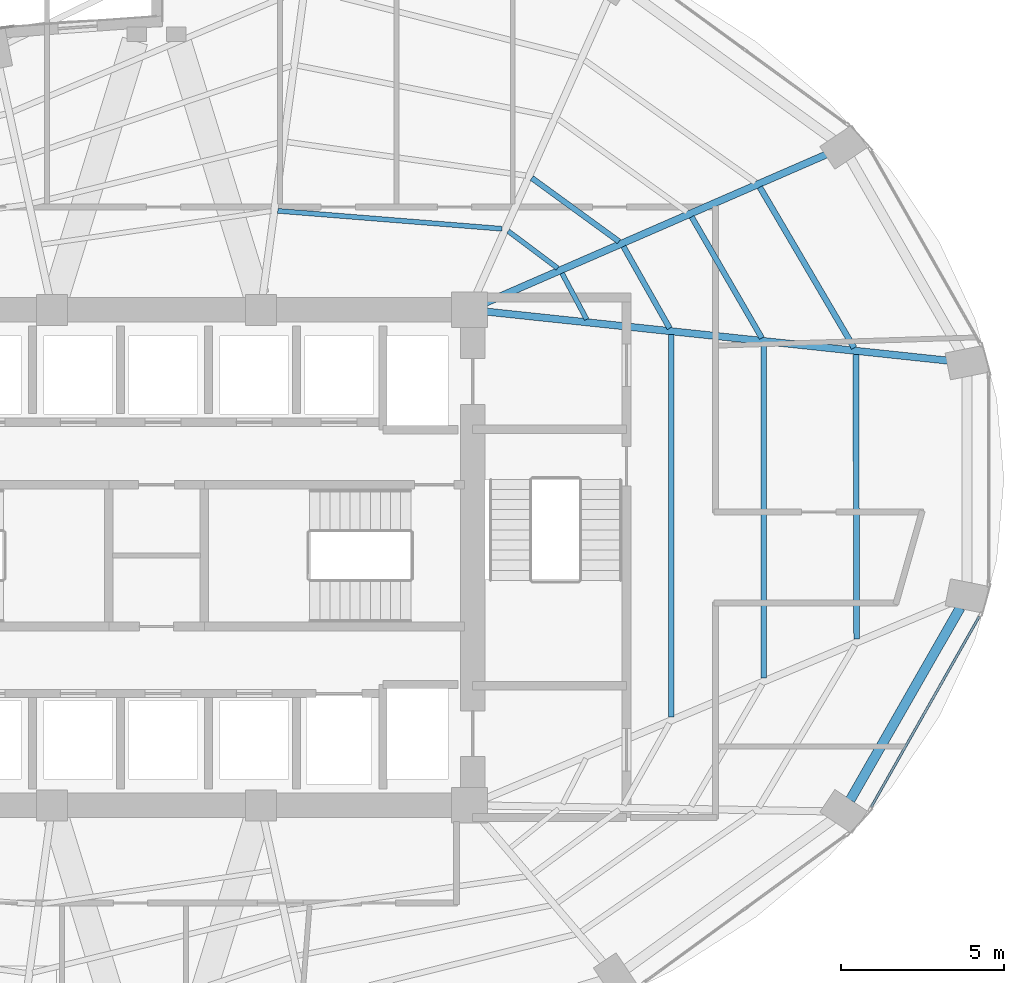
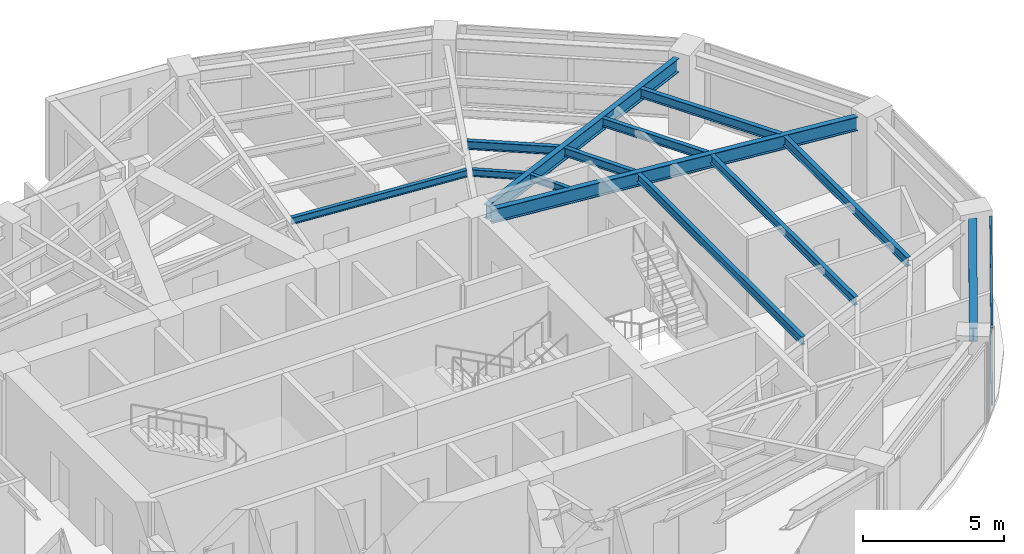
# One storey, part 12 of 23: 13 beams, 2 members, 1 element without a shape of its own.
"""IFC4 building model written with IfcOpenShell, lengths in metres."""

from ifc_helpers import new_model, si_unit, direction, frame, origin, origin_2d, place, context, subcontext, project, spatial, hollow_rectangle, i_section, extrude, material, layer, layer_set, material_profile, profile_set, type_object, element, aggregate, save


model = new_model("IFC4")

# Units and contexts
model_context = context("Model", 3, precision=1e-05, world=origin(), true_north=direction((0.0, 1.0)))
body_context = subcontext(model_context, "Body", "Model", "MODEL_VIEW")
ifc_project = project(units=[si_unit("LENGTHUNIT", "METRE"), si_unit("AREAUNIT", "SQUARE_METRE"), si_unit("VOLUMEUNIT", "CUBIC_METRE"), si_unit("PLANEANGLEUNIT", "RADIAN"), si_unit("MASSUNIT", "GRAM", prefix="KILO")], contexts=[model_context])

# Site, building, storey
site_placement = place(None, origin())
site = spatial("IfcSite", under=ifc_project, at=site_placement, CompositionType="ELEMENT")
building_placement = place(site_placement, origin())
building = spatial("IfcBuilding", under=site, at=building_placement, Name="Lazwardi Medical Tower", CompositionType="ELEMENT")
storey_placement = place(building_placement, frame((0.0, 0.0, 85.39208984375)))
storey = spatial("IfcBuildingStorey", under=building, at=storey_placement, Name="L21", CompositionType="ELEMENT", Elevation=85.39208984375)

# Beams
ifc_material_1 = material(Name="Steel S355", Category="steel")
ifc_material_profile_1 = material_profile(ifc_material_1, i_section(OverallWidth=0.300048828125, OverallDepth=0.60009765625, WebThickness=0.015380859375, FlangeThickness=0.030029296875, at=origin_2d()), Name="HEB 600")
ifc_profile_set_1 = profile_set([ifc_material_profile_1], Name="Steel S355")
beam_type_1 = type_object("IfcBeamType", Name="BM-RB-Z2", PredefinedType="BEAM", material=ifc_profile_set_1)
beam_1_placement = place(storey_placement, frame((57.281494140625, 20.561279296875, 3.1279296875), z_axis=(0.496653025517, 0.867949176072, 0.0), x_axis=(-0.867949176072, 0.496653025517, 0.0)))
element("IfcBeam", 1, at=beam_1_placement, inside=storey, type_object=beam_type_1, Name="Ring beam RB-03 B03 L21", PredefinedType="BEAM", context=body_context, shape_type="SweptSolid", body=[
    extrude(i_section(OverallWidth=0.300048828125, OverallDepth=0.60009765625, WebThickness=0.015380859375, FlangeThickness=0.030029296875, at=origin_2d()), origin(), (0.0, 0.0, 1.0), 6.80078125),
])
ifc_material_profile_2 = material_profile(ifc_material_1, i_section(OverallWidth=0.219970703125, OverallDepth=0.60009765625, WebThickness=0.011962890625, FlangeThickness=0.01904296875, at=origin_2d()), Name="IPE 600")
ifc_profile_set_2 = profile_set([ifc_material_profile_2], Name="Steel S355")
beam_type_2 = type_object("IfcBeamType", Name="BM-RG-W1", PredefinedType="BEAM", material=ifc_profile_set_2)
beam_2_placement = place(storey_placement, frame((60.2861328125, 34.041015625, 3.1279296875), z_axis=(-0.994413340753, 0.10555618282, 0.0), x_axis=(-0.10555618282, -0.994413340753, 0.0)))
element("IfcBeam", 2, at=beam_2_placement, inside=storey, type_object=beam_type_2, Name="Radial girder RG-02 R05 L21", PredefinedType="BEAM", context=body_context, shape_type="SweptSolid", body=[
    extrude(i_section(OverallWidth=0.219970703125, OverallDepth=0.60009765625, WebThickness=0.011962890625, FlangeThickness=0.01904296875, at=origin_2d()), origin(), (0.0, 0.0, 1.0), 14.233642578125),
])
beam_3_placement = place(storey_placement, frame((56.5458984375, 40.36328125, 3.1279296875), z_axis=(-0.916941336121, -0.399022037127, 0.0), x_axis=(0.399022037127, -0.916941336121, 0.0)))
element("IfcBeam", 3, at=beam_3_placement, inside=storey, type_object=beam_type_2, Name="Radial girder RG-02 R06 L21", PredefinedType="BEAM", context=body_context, shape_type="SweptSolid", body=[
    extrude(i_section(OverallWidth=0.219970703125, OverallDepth=0.60009765625, WebThickness=0.011962890625, FlangeThickness=0.01904296875, at=origin_2d()), origin(), (0.0, 0.0, 1.0), 11.40234375),
])
ifc_material_profile_3 = material_profile(ifc_material_1, i_section(OverallWidth=0.179931640625, OverallDepth=0.39990234375, WebThickness=0.008544921875, FlangeThickness=0.013427734375, at=origin_2d()), Name="IPE 400")
ifc_profile_set_3 = profile_set([ifc_material_profile_3], Name="Steel S355")
beam_type_3 = type_object("IfcBeamType", Name="BM-SJ-01", PredefinedType="JOIST", material=ifc_profile_set_3)
beam_4_placement = place(storey_placement, frame((57.48095703125, 25.502685546875, 3.22802734375), z_axis=(-0.002907126978, 0.999995774297, 0.0), x_axis=(-0.999995774297, -0.002907126978, 0.0)))
element("IfcBeam", 4, at=beam_4_placement, inside=storey, type_object=beam_type_3, Name="Secondary joist SJ-01 R1 B04 L21", PredefinedType="JOIST", context=body_context, shape_type="SweptSolid", body=[
    extrude(i_section(OverallWidth=0.179931640625, OverallDepth=0.39990234375, WebThickness=0.008544921875, FlangeThickness=0.013427734375, at=origin_2d()), origin(), (0.0, 0.0, 1.0), 8.73388671875),
])
beam_5_placement = place(storey_placement, frame((57.402099609375, 34.43212890625, 3.22802734375), z_axis=(-0.506195045201, 0.862419025888, 0.0), x_axis=(-0.862419025888, -0.506195045201, 0.0)))
element("IfcBeam", 5, at=beam_5_placement, inside=storey, type_object=beam_type_3, Name="Secondary joist SJ-01 R1 B05 L21", PredefinedType="JOIST", context=body_context, shape_type="SweptSolid", body=[
    extrude(i_section(OverallWidth=0.179931640625, OverallDepth=0.39990234375, WebThickness=0.008544921875, FlangeThickness=0.013427734375, at=origin_2d()), origin(), (0.0, 0.0, 1.0), 5.71728515625),
])
ifc_material_profile_4 = material_profile(ifc_material_1, i_section(OverallWidth=0.169921875, OverallDepth=0.360107421875, WebThickness=0.008056640625, FlangeThickness=0.0126953125, at=origin_2d()), Name="IPE 360")
ifc_profile_set_4 = profile_set([ifc_material_profile_4], Name="Steel S355")
beam_type_4 = type_object("IfcBeamType", Name="BM-SJ-02", PredefinedType="JOIST", material=ifc_profile_set_4)
beam_6_placement = place(storey_placement, frame((54.634033203125, 24.30517578125, 3.247802734375), z_axis=(-0.000930565095, 0.999999567024, 0.0), x_axis=(-0.999999567024, -0.000930565095, 0.0)))
element("IfcBeam", 6, at=beam_6_placement, inside=storey, type_object=beam_type_4, Name="Secondary joist SJ-02 R2 B04 L21", PredefinedType="JOIST", context=body_context, shape_type="SweptSolid", body=[
    extrude(i_section(OverallWidth=0.169921875, OverallDepth=0.360107421875, WebThickness=0.008056640625, FlangeThickness=0.0126953125, at=origin_2d()), origin(), (0.0, 0.0, 1.0), 10.23193359375),
])
beam_7_placement = place(storey_placement, frame((54.57177734375, 34.73291015625, 3.247802734375), z_axis=(-0.501365325212, 0.865235696602, 0.0), x_axis=(-0.865235696602, -0.501365325212, 0.0)))
element("IfcBeam", 7, at=beam_7_placement, inside=storey, type_object=beam_type_4, Name="Secondary joist SJ-02 R2 B05 L21", PredefinedType="JOIST", context=body_context, shape_type="SweptSolid", body=[
    extrude(i_section(OverallWidth=0.169921875, OverallDepth=0.360107421875, WebThickness=0.008056640625, FlangeThickness=0.0126953125, at=origin_2d()), origin(), (0.0, 0.0, 1.0), 4.298828125),
])
beam_8_placement = place(storey_placement, frame((51.787109375, 23.107421875, 3.247802734375), z_axis=(0.000561961365, 0.9999998421, 0.0), x_axis=(-0.9999998421, 0.000561961365, 0.0)))
element("IfcBeam", 8, at=beam_8_placement, inside=storey, type_object=beam_type_4, Name="Secondary joist SJ-02 R3 B04 L21", PredefinedType="JOIST", context=body_context, shape_type="SweptSolid", body=[
    extrude(i_section(OverallWidth=0.169921875, OverallDepth=0.360107421875, WebThickness=0.008056640625, FlangeThickness=0.0126953125, at=origin_2d()), origin(), (0.0, 0.0, 1.0), 11.72998046875),
])
beam_9_placement = place(storey_placement, frame((51.741943359375, 35.033935546875, 3.247802734375), z_axis=(-0.492026539517, 0.870580199873, 0.0), x_axis=(-0.870580199873, -0.492026539517, 0.0)))
element("IfcBeam", 9, at=beam_9_placement, inside=storey, type_object=beam_type_4, Name="Secondary joist SJ-02 R3 B05 L21", PredefinedType="JOIST", context=body_context, shape_type="SweptSolid", body=[
    extrude(i_section(OverallWidth=0.169921875, OverallDepth=0.360107421875, WebThickness=0.008056640625, FlangeThickness=0.0126953125, at=origin_2d()), origin(), (0.0, 0.0, 1.0), 2.880859375),
])
beam_10_placement = place(storey_placement, frame((50.18798828125, 37.6953125, 3.247802734375), z_axis=(-0.808301737247, 0.588768461761, 0.0), x_axis=(-0.588768461761, -0.808301737247, 0.0)))
element("IfcBeam", 10, at=beam_10_placement, inside=storey, type_object=beam_type_4, Name="Secondary joist SJ-02 R3 B06 L21", PredefinedType="JOIST", context=body_context, shape_type="SweptSolid", body=[
    extrude(i_section(OverallWidth=0.169921875, OverallDepth=0.360107421875, WebThickness=0.008056640625, FlangeThickness=0.0126953125, at=origin_2d()), origin(), (0.0, 0.0, 1.0), 3.307373046875),
])
ifc_material_profile_5 = material_profile(ifc_material_1, i_section(OverallWidth=0.14990234375, OverallDepth=0.300048828125, WebThickness=0.007080078125, FlangeThickness=0.0107421875, at=origin_2d()), Name="IPE 300")
ifc_profile_set_5 = profile_set([ifc_material_profile_5], Name="Steel S355")
beam_type_5 = type_object("IfcBeamType", Name="BM-SJ-03", PredefinedType="JOIST", material=ifc_profile_set_5)
beam_11_placement = place(storey_placement, frame((49.1962890625, 35.3056640625, 3.27783203125), z_axis=(-0.471022344925, 0.882121278839, 0.0), x_axis=(-0.882121278839, -0.471022344925, 0.0)))
element("IfcBeam", 11, at=beam_11_placement, inside=storey, type_object=beam_type_5, Name="Secondary joist SJ-03 R4 B05 L21", PredefinedType="JOIST", context=body_context, shape_type="SweptSolid", body=[
    extrude(i_section(OverallWidth=0.14990234375, OverallDepth=0.300048828125, WebThickness=0.007080078125, FlangeThickness=0.0107421875, at=origin_2d()), origin(), (0.0, 0.0, 1.0), 1.605224609375),
])
beam_12_placement = place(storey_placement, frame((48.306640625, 36.87744140625, 3.27783203125), z_axis=(-0.800447687995, 0.599402618265, 0.0), x_axis=(-0.599402618265, -0.800447687995, 0.0)))
element("IfcBeam", 12, at=beam_12_placement, inside=storey, type_object=beam_type_5, Name="Secondary joist SJ-03 R4 B06 L21", PredefinedType="JOIST", context=body_context, shape_type="SweptSolid", body=[
    extrude(i_section(OverallWidth=0.14990234375, OverallDepth=0.300048828125, WebThickness=0.007080078125, FlangeThickness=0.0107421875, at=origin_2d()), origin(), (0.0, 0.0, 1.0), 1.896728515625),
])
beam_13_placement = place(storey_placement, frame((46.599609375, 38.085693359375, 3.27783203125), z_axis=(-0.996816178299, 0.079733974445, 0.0), x_axis=(-0.079733974445, -0.996816178299, 0.0)))
element("IfcBeam", 13, at=beam_13_placement, inside=storey, type_object=beam_type_5, Name="Secondary joist SJ-03 R4 B07 L21", PredefinedType="JOIST", context=body_context, shape_type="SweptSolid", body=[
    extrude(i_section(OverallWidth=0.14990234375, OverallDepth=0.300048828125, WebThickness=0.007080078125, FlangeThickness=0.0107421875, at=origin_2d()), origin(), (0.0, 0.0, 1.0), 6.901611328125),
])

# Curtain wall, members
ifc_material_2 = material(Name="Anodised bronze aluminium and solar control glazing", Category="aluminium")
ifc_layer = layer(ifc_material_2, 0.195068359375)
ifc_layer_set = layer_set([ifc_layer], Name="Anodised bronze aluminium and solar control glazing")
curtain_wall_type = type_object("IfcCurtainWallType", Name="CW-SYS-03", PredefinedType="NOTDEFINED", material=ifc_layer_set)
curtain_wall_placement = place(storey_placement, origin())
curtain_wall = element("IfcCurtainWall", 14, at=curtain_wall_placement, inside=storey, type_object=curtain_wall_type, Name="L21 Unitised bronze curtain wall CW-03", PredefinedType="NOTDEFINED")
ifc_material_3 = material(Name="Anodised bronze aluminium", Category="aluminium")
ifc_material_profile_6 = material_profile(ifc_material_3, hollow_rectangle(XDim=0.074951171875, YDim=0.159912109375, WallThickness=0.00390625, at=origin_2d()), Name="ALU-TRANSOM 160x75x4")
ifc_profile_set_6 = profile_set([ifc_material_profile_6], Name="Anodised bronze aluminium")
member_type = type_object("IfcMemberType", Name="CW-TRN-01", PredefinedType="USERDEFINED", material=ifc_profile_set_6)
member_1_placement = place(storey_placement, frame((57.925537109375, 20.3466796875, 0.037353515625), z_axis=(0.493614427365, 0.869680859337, 0.0), x_axis=(-0.869680859337, 0.493614427365, 0.0)))
member_1 = element("IfcMember", 15, at=member_1_placement, type_object=member_type, Name="CW-03 transom 1.1", ObjectType="TRANSOM", PredefinedType="USERDEFINED", context=body_context, shape_type="SweptSolid", body=[
    extrude(hollow_rectangle(XDim=0.074951171875, YDim=0.159912109375, WallThickness=0.00390625, at=origin_2d()), origin(), (0.0, 0.0, 1.0), 6.72314453125),
])
member_2_placement = place(storey_placement, frame((57.925537109375, 20.3466796875, 3.390380859375), z_axis=(0.493614427365, 0.869680859337, 0.0), x_axis=(-0.869680859337, 0.493614427365, 0.0)))
member_2 = element("IfcMember", 16, at=member_2_placement, type_object=member_type, Name="CW-03 transom 1.2", ObjectType="TRANSOM", PredefinedType="USERDEFINED", context=body_context, shape_type="SweptSolid", body=[
    extrude(hollow_rectangle(XDim=0.074951171875, YDim=0.159912109375, WallThickness=0.00390625, at=origin_2d()), origin(), (0.0, 0.0, 1.0), 6.72314453125),
])
aggregate(curtain_wall, [member_1, member_2])

save(model, "model.ifc")
